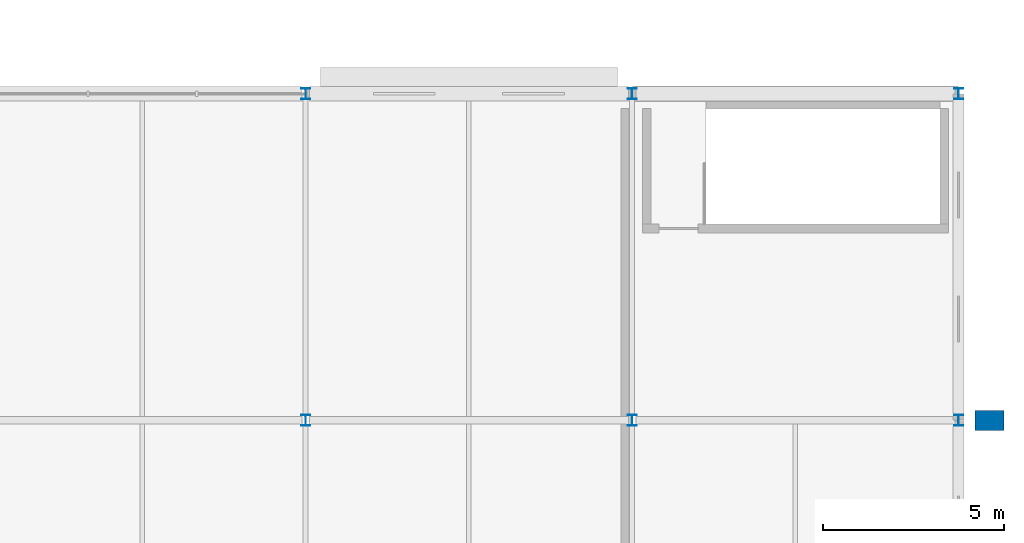
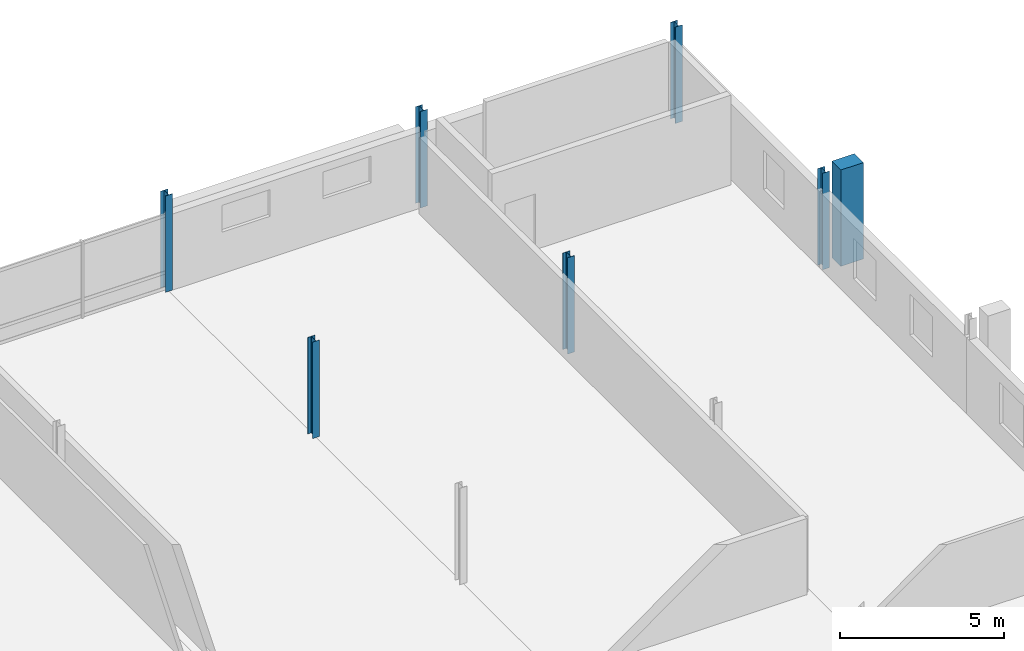
# One storey, part 28 of 132: 7 columns.
"""IFC4 building model written with IfcOpenShell, lengths in metres."""

from ifc_helpers import new_model, si_unit, direction, frame, origin, origin_2d, place, context, subcontext, project, spatial, rectangle, i_section, extrude, material, material_profile, profile_set, type_object, element, save


model = new_model("IFC4")

# Units and contexts
model_context = context("Model", 3, precision=1e-05, world=origin(), true_north=direction((0.0, 1.0)))
body_context = subcontext(model_context, "Body", "Model", "MODEL_VIEW")
ifc_project = project(units=[si_unit("LENGTHUNIT", "METRE"), si_unit("AREAUNIT", "SQUARE_METRE"), si_unit("VOLUMEUNIT", "CUBIC_METRE"), si_unit("PLANEANGLEUNIT", "RADIAN"), si_unit("MASSUNIT", "GRAM", prefix="KILO")], contexts=[model_context])

# Site, building, storey
site_placement = place(None, origin())
site = spatial("IfcSite", under=ifc_project, at=site_placement, CompositionType="ELEMENT")
building_placement = place(site_placement, origin())
building = spatial("IfcBuilding", under=site, at=building_placement, Name="Tharagai Park Tramway Depot", CompositionType="ELEMENT")
storey_placement = place(building_placement, frame((0.0, 0.0, 4.800048828125)))
storey = spatial("IfcBuildingStorey", under=building, at=storey_placement, Name="L01", CompositionType="ELEMENT", Elevation=4.800048828125)

# Columns
ifc_material_1 = material(Name="Steel E350", Category="steel")
ifc_material_profile_1 = material_profile(ifc_material_1, i_section(OverallWidth=0.25, OverallDepth=0.300048828125, WebThickness=0.009521484375, FlangeThickness=0.010498046875, FilletRadius=0.011962890625, at=origin_2d()), Name="ISHB 300")
ifc_profile_set_1 = profile_set([ifc_material_profile_1], Name="Steel E350")
column_type_1 = type_object("IfcColumnType", Name="CL-08", PredefinedType="COLUMN", material=ifc_profile_set_1)
for number, where, z_axis, x_axis, name in (
    (1, (198.0, 126.0, 0.0), (0.0, 0.0, 1.0), (1.0, 0.0, 0.0), "L01 Structural Column CL-08 (198,126)"),
    (2, (198.0, 135.0, 0.0), (0.0, 0.0, 1.0), (1.0, 0.0, 0.0), "L01 Structural Column CL-08 (198,135)"),
    (3, (207.0, 126.0, 0.0), (0.0, 0.0, 1.0), (1.0, 0.0, 0.0), "L01 Structural Column CL-08 (207,126)"),
    (4, (207.0, 135.0, 0.0), (0.0, 0.0, 1.0), (1.0, 0.0, 0.0), "L01 Structural Column CL-08 (207,135)"),
    (5, (216.0, 126.0, 0.0), (0.0, 0.0, 1.0), (1.0, 0.0, 0.0), "L01 Structural Column CL-08 (216,126)"),
    (6, (216.0, 135.0, 0.0), (0.0, 0.0, 1.0), (1.0, 0.0, 0.0), "L01 Structural Column CL-08 (216,135)"),
):
    element("IfcColumn", number, at=place(storey_placement, frame(where, z_axis=z_axis, x_axis=x_axis)), inside=storey, type_object=column_type_1, Name=name, PredefinedType="COLUMN", context=body_context, shape_type="SweptSolid", body=[
        extrude(i_section(OverallWidth=0.25, OverallDepth=0.300048828125, WebThickness=0.009521484375, FlangeThickness=0.010498046875, FilletRadius=0.011962890625, at=origin_2d()), origin(), (0.0, 0.0, 1.0), 3.599853515625),
    ])
ifc_material_2 = material(Name="Concrete M40", Category="concrete")
ifc_material_profile_2 = material_profile(ifc_material_2, rectangle(XDim=0.550048828125, YDim=0.800048828125, at=origin_2d()), Name="RC 550x800")
ifc_profile_set_2 = profile_set([ifc_material_profile_2], Name="Concrete M40")
column_type_2 = type_object("IfcColumnType", Name="PL-02", PredefinedType="PILASTER", material=ifc_profile_set_2)
column_placement = place(storey_placement, frame((216.85009765625, 126.0, 0.0), z_axis=(0.0, 0.0, 1.0), x_axis=(0.0, 1.0, 0.0)))
element("IfcColumn", 7, at=column_placement, inside=storey, type_object=column_type_2, Name="L01 Stepped Gothic Buttress PL-02 E-126", PredefinedType="PILASTER", context=body_context, shape_type="SweptSolid", body=[
    extrude(rectangle(XDim=0.550048828125, YDim=0.800048828125, at=origin_2d()), origin(), (0.0, 0.0, 1.0), 3.599853515625),
])

save(model, "model.ifc")
